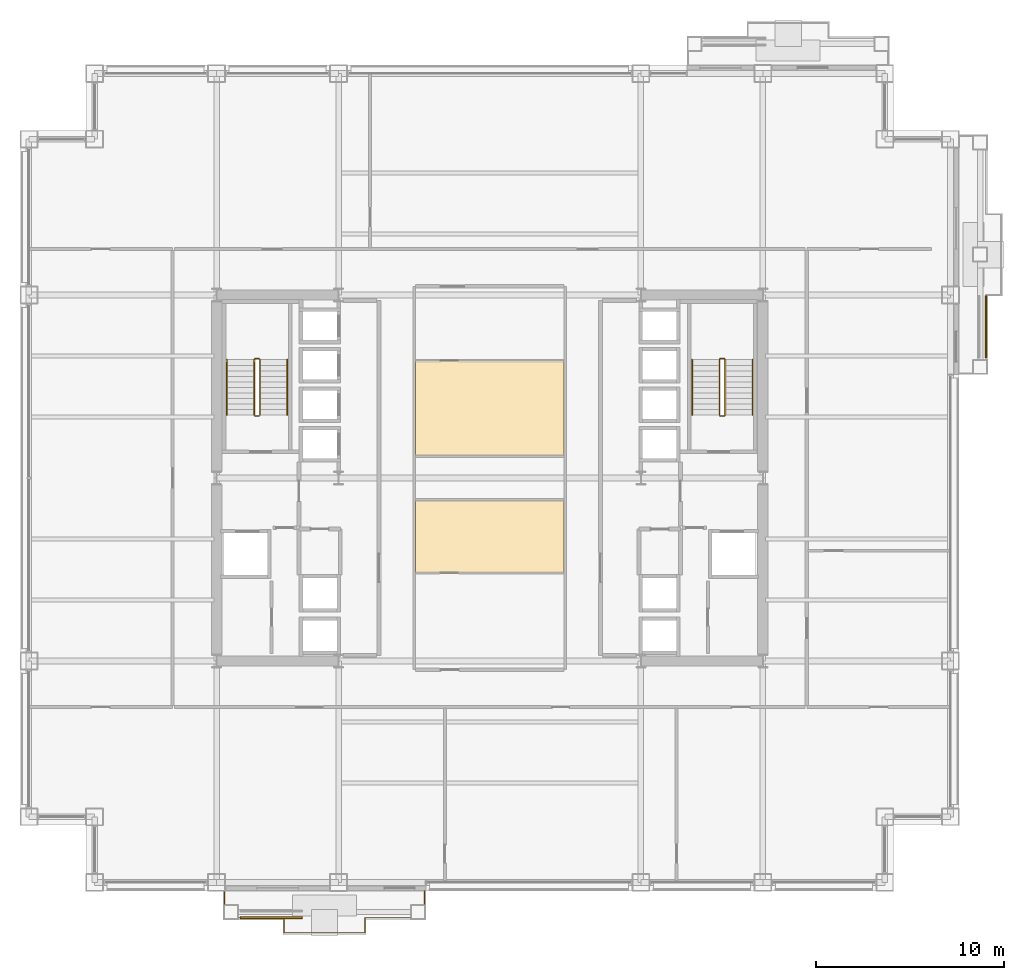
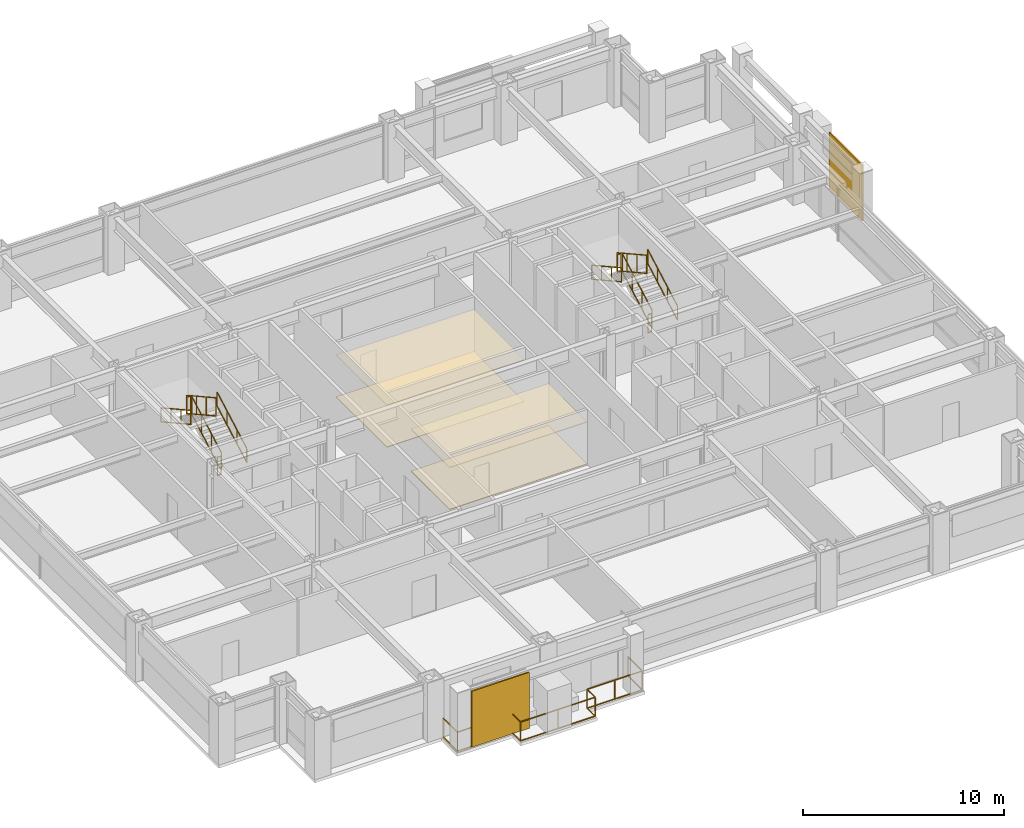
# One storey, part 29 of 31: 13 railings, 4 coverings, 2 shading devices.
"""IFC4 building model written with IfcOpenShell, lengths in metres."""

import ifcopenshell
import ifcopenshell.guid

model = None  # the IFC model being written
_history = None  # IfcOwnerHistory: only IFC2X3 demands one
_inside = {}  # id of a spatial element -> (the spatial element, [elements in it])
_under = {}  # id of a project, library or spatial element -> (it, [spatial elements below it])
_declared = {}  # id of a project -> (the project, [libraries it declares])
_typed = {}  # id of a type object -> (the type object, [elements of that type])
_made_of = {}  # id of a material, layer set ... -> (it, [elements and type objects made of it])


def new_model(schema):
    """Start an empty IFC model of exactly this schema.

    Asked for "IFC4X3", IfcOpenShell would pick the latest addendum, in which some entities
    have other attributes; the version numbers below select the first issue.
    IFC2X3 requires an IfcOwnerHistory on every rooted entity: one is made here for all.
    """
    global model, _history
    if schema == "IFC4X3":
        model = ifcopenshell.file(schema_version=(4, 3, 0, 0))
    else:
        model = ifcopenshell.file(schema=schema)
    _inside.clear()
    _under.clear()
    _declared.clear()
    _typed.clear()
    _made_of.clear()
    _history = None
    if model.schema == "IFC2X3":
        org = make("IfcOrganization", Name="unknown")
        user = make(
            "IfcPersonAndOrganization",
            ThePerson=make("IfcPerson", FamilyName="unknown"),
            TheOrganization=org,
        )
        app = make(
            "IfcApplication",
            ApplicationDeveloper=org,
            Version="unknown",
            ApplicationFullName="unknown",
            ApplicationIdentifier="unknown",
        )
        _history = make(
            "IfcOwnerHistory",
            OwningUser=user,
            OwningApplication=app,
            ChangeAction="ADDED",
            CreationDate=0,
        )
    return model


def make(cls, **values):
    """One entity of the class cls with the attributes given. An attribute that is None is left unset."""
    return model.create_entity(
        cls, **{name: value for name, value in values.items() if value is not None}
    )


def rooted(cls, **values):
    """An entity with a GlobalId (a new one), such as an element, a storey or a relation."""
    return make(cls, GlobalId=ifcopenshell.guid.new(), OwnerHistory=_history, **values)


def si_unit(unit_type, name, prefix=None):
    """IfcSIUnit, for example si_unit("LENGTHUNIT", "METRE", prefix="MILLI")."""
    return make("IfcSIUnit", UnitType=unit_type, Prefix=prefix, Name=name)


def assignment(units):
    """IfcUnitAssignment: the units of a project."""
    return None if units is None else make("IfcUnitAssignment", Units=units)


def point(xyz):
    """IfcCartesianPoint."""
    return None if xyz is None else make("IfcCartesianPoint", Coordinates=xyz)


def direction(xyz):
    """IfcDirection."""
    return None if xyz is None else make("IfcDirection", DirectionRatios=xyz)


def frame(location, z_axis=None, x_axis=None):
    """IfcAxis2Placement3D, a coordinate frame: its origin and axes. An axis left out is left unset."""
    return make(
        "IfcAxis2Placement3D",
        Location=point(location),
        Axis=direction(z_axis),
        RefDirection=direction(x_axis),
    )


def frame_2d(location, x_axis=None):
    """IfcAxis2Placement2D, a coordinate frame in the plane: its origin and x axis."""
    return make(
        "IfcAxis2Placement2D", Location=point(location), RefDirection=direction(x_axis)
    )


def origin():
    """The frame at (0, 0, 0) with its axes left unset."""
    return frame((0.0, 0.0, 0.0))


def origin_2d():
    """The frame at (0, 0) in the plane with its x axis left unset."""
    return frame_2d((0.0, 0.0))


def place(relative_to, where):
    """IfcLocalPlacement: puts the frame where relative to a parent placement (None: the world)."""
    return make(
        "IfcLocalPlacement", PlacementRelTo=relative_to, RelativePlacement=where
    )


def context(
    kind, dimensions, precision=None, world=None, true_north=None, identifier=None
):
    """IfcGeometricRepresentationContext, for example the 3D "Model" context."""
    return make(
        "IfcGeometricRepresentationContext",
        ContextIdentifier=identifier,
        ContextType=kind,
        CoordinateSpaceDimension=dimensions,
        Precision=precision,
        WorldCoordinateSystem=world,
        TrueNorth=true_north,
    )


def subcontext(parent, identifier, kind, view, scale=None):
    """IfcGeometricRepresentationSubContext, for example "Body" below "Model"."""
    return make(
        "IfcGeometricRepresentationSubContext",
        ContextIdentifier=identifier,
        ContextType=kind,
        ParentContext=parent,
        TargetScale=scale,
        TargetView=view,
    )


def project(units=None, contexts=None):
    """IfcProject with its units and contexts."""
    return rooted(
        "IfcProject",
        Name="project",
        RepresentationContexts=contexts,
        UnitsInContext=assignment(units),
    )


def spatial(cls, under=None, at=None, **own):
    """A site, building, storey or space (cls), placed at a placement, below another one or the project."""
    s = rooted(cls, ObjectPlacement=at, **own)
    if under is not None:
        _under.setdefault(under.id(), (under, []))[1].append(s)
    return s


def polyline(points):
    """IfcPolyline through the points."""
    return make("IfcPolyline", Points=[point(p) for p in points])


def profile(cls, at=None, kind="AREA", **sizes):
    """A parametric profile (cls). Its sizes go by their IFC names, for example OverallWidth=200.0."""
    return make(cls, ProfileType=kind, Position=at, **sizes)


def rectangle(**sizes):
    """IfcRectangleProfileDef."""
    return profile("IfcRectangleProfileDef", **sizes)


def outline(outer, holes=None, kind="AREA"):
    """IfcArbitraryClosedProfileDef: a profile drawn as a closed curve; with holes, ...WithVoids."""
    if holes is None:
        return make("IfcArbitraryClosedProfileDef", ProfileType=kind, OuterCurve=outer)
    return make(
        "IfcArbitraryProfileDefWithVoids",
        ProfileType=kind,
        OuterCurve=outer,
        InnerCurves=holes,
    )


def extrude(swept, where, along, depth):
    """IfcExtrudedAreaSolid: the profile swept, set in the frame where, extruded along a direction by depth."""
    return make(
        "IfcExtrudedAreaSolid",
        SweptArea=swept,
        Position=where,
        ExtrudedDirection=direction(along),
        Depth=depth,
    )


def shape(context_of_items, identifier, shape_type, items):
    """IfcShapeRepresentation: the items that make up one representation, for example the "Body"."""
    return make(
        "IfcShapeRepresentation",
        ContextOfItems=context_of_items,
        RepresentationIdentifier=identifier,
        RepresentationType=shape_type,
        Items=items,
    )


def material(Name=None, Category=None):
    """IfcMaterial."""
    return make("IfcMaterial", Name=Name, Category=Category)


def layer(
    of_material, thickness, ventilated=None, Name=None, Category=None, Priority=None
):
    """IfcMaterialLayer: one layer of a wall or slab, of a material (None: an air gap)."""
    return make(
        "IfcMaterialLayer",
        Material=of_material,
        LayerThickness=thickness,
        IsVentilated=ventilated,
        Name=Name,
        Category=Category,
        Priority=Priority,
    )


def layer_set(layers, Name=None):
    """IfcMaterialLayerSet."""
    return make("IfcMaterialLayerSet", MaterialLayers=layers, LayerSetName=Name)


def made_of(thing, what):
    """Note that an element or type object is made of a material, layer set ...; save() writes the relation."""
    if what is not None:
        _made_of.setdefault(what.id(), (what, []))[1].append(thing)
    return thing


def type_object(cls, material=None, **own):
    """A type object (cls), such as IfcWallType, which elements share."""
    return made_of(rooted(cls, **own), material)


def element(
    cls,
    number,
    at=None,
    inside=None,
    cuts=None,
    type_object=None,
    material=None,
    context=None,
    identifier="Body",
    shape_type=None,
    held_by="IfcProductDefinitionShape",
    body=None,
    shapes=None,
    **own,
):
    """One element of the class cls, such as IfcWall. Its Tag is "e" and its number.

    at: its placement. inside: the storey or other place that contains it. cuts: it is an
    opening in that element (IfcRelVoidsElement). A single representation is given by context,
    identifier, shape_type and body (its items); several are given by shapes. held_by: the class
    of the entity that holds the representations. save() writes the other relations.
    """
    e = rooted(cls, Tag="e%d" % number, ObjectPlacement=at, **own)
    if body is not None:
        shapes = [shape(context, identifier, shape_type, body)]
    if shapes is not None:
        e.Representation = make(held_by, Representations=shapes)
    if inside is not None:
        _inside.setdefault(inside.id(), (inside, []))[1].append(e)
    if cuts is not None:
        rooted(
            "IfcRelVoidsElement", RelatingBuildingElement=cuts, RelatedOpeningElement=e
        )
    if type_object is not None:
        _typed.setdefault(type_object.id(), (type_object, []))[1].append(e)
    return made_of(e, material)


def aggregate(whole, parts):
    """IfcRelAggregates: a whole, such as a stair, and the parts it consists of."""
    return rooted("IfcRelAggregates", RelatingObject=whole, RelatedObjects=parts)


def save(model, path):
    """Write the relations noted so far, then the file.

    IfcRelAggregates (storeys below a building ...), IfcRelContainedInSpatialStructure (elements
    in a storey), IfcRelDefinesByType, IfcRelAssociatesMaterial and IfcRelDeclares: one each for
    every whole, place, type object, material and project.
    """
    for whole, parts in _under.values():
        aggregate(whole, parts)
    for where, things in _inside.values():
        rooted(
            "IfcRelContainedInSpatialStructure",
            RelatedElements=things,
            RelatingStructure=where,
        )
    for kind, things in _typed.values():
        rooted("IfcRelDefinesByType", RelatedObjects=things, RelatingType=kind)
    for what, things in _made_of.values():
        rooted("IfcRelAssociatesMaterial", RelatedObjects=things, RelatingMaterial=what)
    for by, libraries in _declared.values():
        rooted("IfcRelDeclares", RelatingContext=by, RelatedDefinitions=libraries)
    model.write(path)


model = new_model("IFC4")

# Units and contexts
model_context = context("Model", 3, precision=1e-05, world=origin(), true_north=direction((0.0, 1.0)))
body_context = subcontext(model_context, "Body", "Model", "MODEL_VIEW")
ifc_project = project(units=[si_unit("LENGTHUNIT", "METRE"), si_unit("AREAUNIT", "SQUARE_METRE"), si_unit("VOLUMEUNIT", "CUBIC_METRE"), si_unit("PLANEANGLEUNIT", "RADIAN"), si_unit("MASSUNIT", "GRAM", prefix="KILO")], contexts=[model_context])

# Site, building, storey
site_placement = place(None, origin())
site = spatial("IfcSite", under=ifc_project, at=site_placement, CompositionType="ELEMENT")
building_placement = place(site_placement, origin())
building = spatial("IfcBuilding", under=site, at=building_placement, Name="Brelmoor Portico Tower", CompositionType="ELEMENT")
storey_placement = place(building_placement, frame((0.0, 0.0, 27.60009765625)))
storey = spatial("IfcBuildingStorey", under=building, at=storey_placement, Name="L06", CompositionType="ELEMENT", Elevation=27.60009765625)

# Coverings
ifc_material_1 = material(Name="Powder-Coated Aluminium Acoustic Baffle Ceiling", Category="aluminium")
ifc_layer_1 = layer(ifc_material_1, 0.044921875)
ifc_layer_set_1 = layer_set([ifc_layer_1], Name="Powder-Coated Aluminium Acoustic Baffle Ceiling")
covering_type_1 = type_object("IfcCoveringType", Name="CV-CEIL-BAFFLE-45", PredefinedType="CEILING", material=ifc_layer_set_1)
covering_1_placement = place(storey_placement, frame((0.0, 0.0, 2.5498046875)))
element("IfcCovering", 1, at=covering_1_placement, inside=storey, type_object=covering_type_1, Name="L06 Acoustic Suspended Ceiling 02", PredefinedType="CEILING", context=body_context, shape_type="SweptSolid", body=[
    extrude(outline(polyline([(-3.9599609375, -5.06005859375), (-3.9599609375, -1.199951171875), (3.9599609375, -1.199951171875), (3.9599609375, -5.06005859375), (-3.9599609375, -5.06005859375)])), origin(), (0.0, 0.0, 1.0), 0.045166015625),
])
ifc_material_2 = material(Name="Micro-Perforated Aluminium Clip-In Ceiling", Category="aluminium")
ifc_layer_2 = layer(ifc_material_2, 0.031982421875)
ifc_layer_set_2 = layer_set([ifc_layer_2], Name="Micro-Perforated Aluminium Clip-In Ceiling")
covering_type_2 = type_object("IfcCoveringType", Name="CV-CEIL-METAL-32", PredefinedType="CEILING", material=ifc_layer_set_2)
covering_2_placement = place(storey_placement, frame((0.0, 0.0, 2.5498046875)))
element("IfcCovering", 2, at=covering_2_placement, inside=storey, type_object=covering_type_2, Name="L06 Acoustic Suspended Ceiling 01", PredefinedType="CEILING", context=body_context, shape_type="SweptSolid", body=[
    extrude(outline(polyline([(-3.9599609375, 1.199951171875), (-3.9599609375, 6.260009765625), (3.9599609375, 6.260009765625), (3.9599609375, 1.199951171875), (-3.9599609375, 1.199951171875)])), origin(), (0.0, 0.0, 1.0), 0.031982421875),
])
ifc_material_3 = material(Name="Honed Pearl-Grey Granite Paver Finish", Category="masonry")
ifc_layer_3 = layer(ifc_material_3, 0.0380859375)
ifc_layer_set_3 = layer_set([ifc_layer_3], Name="Honed Pearl-Grey Granite Paver Finish")
covering_type_3 = type_object("IfcCoveringType", Name="CV-FLR-GRANITE-38", PredefinedType="FLOORING", material=ifc_layer_set_3)
covering_3_placement = place(storey_placement, origin())
element("IfcCovering", 3, at=covering_3_placement, inside=storey, type_object=covering_type_3, Name="L06 Architectural Floor Finish 02", PredefinedType="FLOORING", context=body_context, shape_type="SweptSolid", body=[
    extrude(outline(polyline([(-3.9599609375, -5.06005859375), (-3.9599609375, -1.199951171875), (3.9599609375, -1.199951171875), (3.9599609375, -5.06005859375), (-3.9599609375, -5.06005859375)])), origin(), (0.0, 0.0, 1.0), 0.037841796875),
])
ifc_material_4 = material(Name="Polished Pale-Aggregate Cementitious Terrazzo", Category="stone")
ifc_layer_4 = layer(ifc_material_4, 0.030029296875)
ifc_layer_set_4 = layer_set([ifc_layer_4], Name="Polished Pale-Aggregate Cementitious Terrazzo")
covering_type_4 = type_object("IfcCoveringType", Name="CV-FLR-TERRAZZO-30", PredefinedType="FLOORING", material=ifc_layer_set_4)
covering_4_placement = place(storey_placement, origin())
element("IfcCovering", 4, at=covering_4_placement, inside=storey, type_object=covering_type_4, Name="L06 Architectural Floor Finish 01", PredefinedType="FLOORING", context=body_context, shape_type="SweptSolid", body=[
    extrude(outline(polyline([(-3.9599609375, 1.199951171875), (-3.9599609375, 6.260009765625), (3.9599609375, 6.260009765625), (3.9599609375, 1.199951171875), (-3.9599609375, 1.199951171875)])), origin(), (0.0, 0.0, 1.0), 0.02978515625),
])

# Railings
ifc_material_5 = material(Name="Perforated Pale Champagne Aluminium Fretwork Guard", Category="aluminium")
railing_type_1 = type_object("IfcRailingType", Name="RL-BALUSTRADE-1200", PredefinedType="BALUSTRADE", material=ifc_material_5)
railing_1_placement = place(storey_placement, frame((-14.1201171875, -22.0, 0.0)))
element("IfcRailing", 5, at=railing_1_placement, inside=storey, type_object=railing_type_1, Name="L06 Tree Balcony Fretwork Balustrade S", PredefinedType="BALUSTRADE", context=body_context, shape_type="SweptSolid", body=[
    extrude(rectangle(XDim=0.048095703125, YDim=0.048095703125, at=origin_2d()), frame((0.0, 0.0, 1.17578125), z_axis=(0.0, -1.0, 0.0), x_axis=(1.0, 0.0, 0.0)), (0.0, 0.0, 1.0), 1.429931640625),
    extrude(rectangle(XDim=0.048095703125, YDim=0.048095703125, at=origin_2d()), frame((0.0, 0.0, 0.02392578125), z_axis=(0.0, -1.0, 0.0), x_axis=(1.0, 0.0, 0.0)), (0.0, 0.0, 1.0), 1.429931640625),
    extrude(rectangle(XDim=0.048095703125, YDim=0.048095703125, at=origin_2d()), frame((0.0, -1.429931640625, 1.17578125), z_axis=(1.0, 0.0, 0.0), x_axis=(0.0, 1.0, 0.0)), (0.0, 0.0, 1.0), 3.170166015625),
    extrude(rectangle(XDim=0.048095703125, YDim=0.048095703125, at=origin_2d()), frame((0.0, -1.429931640625, 0.02392578125), z_axis=(1.0, 0.0, 0.0), x_axis=(0.0, 1.0, 0.0)), (0.0, 0.0, 1.0), 3.170166015625),
    extrude(rectangle(XDim=0.048095703125, YDim=0.048095703125, at=origin_2d()), frame((3.170166015625, -1.429931640625, 1.17578125), z_axis=(0.0, -1.0, 0.0), x_axis=(1.0, 0.0, 0.0)), (0.0, 0.0, 1.0), 0.800048828125),
    extrude(rectangle(XDim=0.048095703125, YDim=0.048095703125, at=origin_2d()), frame((3.170166015625, -1.429931640625, 0.02392578125), z_axis=(0.0, -1.0, 0.0), x_axis=(1.0, 0.0, 0.0)), (0.0, 0.0, 1.0), 0.800048828125),
    extrude(rectangle(XDim=0.048095703125, YDim=0.048095703125, at=origin_2d()), frame((3.170166015625, -2.22998046875, 1.17578125), z_axis=(1.0, 0.0, 0.0), x_axis=(0.0, 1.0, 0.0)), (0.0, 0.0, 1.0), 4.300048828125),
    extrude(rectangle(XDim=0.048095703125, YDim=0.048095703125, at=origin_2d()), frame((3.170166015625, -2.22998046875, 0.02392578125), z_axis=(1.0, 0.0, 0.0), x_axis=(0.0, 1.0, 0.0)), (0.0, 0.0, 1.0), 4.300048828125),
    extrude(rectangle(XDim=0.048095703125, YDim=0.048095703125, at=origin_2d()), frame((7.47021484375, -2.22998046875, 1.17578125), z_axis=(0.0, 1.0, 0.0), x_axis=(-1.0, 0.0, 0.0)), (0.0, 0.0, 1.0), 0.800048828125),
    extrude(rectangle(XDim=0.048095703125, YDim=0.048095703125, at=origin_2d()), frame((7.47021484375, -2.22998046875, 0.02392578125), z_axis=(0.0, 1.0, 0.0), x_axis=(-1.0, 0.0, 0.0)), (0.0, 0.0, 1.0), 0.800048828125),
    extrude(rectangle(XDim=0.048095703125, YDim=0.048095703125, at=origin_2d()), frame((7.47021484375, -1.429931640625, 1.17578125), z_axis=(1.0, 0.0, 0.0), x_axis=(0.0, 1.0, 0.0)), (0.0, 0.0, 1.0), 3.169921875),
    extrude(rectangle(XDim=0.048095703125, YDim=0.048095703125, at=origin_2d()), frame((7.47021484375, -1.429931640625, 0.02392578125), z_axis=(1.0, 0.0, 0.0), x_axis=(0.0, 1.0, 0.0)), (0.0, 0.0, 1.0), 3.169921875),
    extrude(rectangle(XDim=0.048095703125, YDim=0.048095703125, at=origin_2d()), frame((10.64013671875, -1.429931640625, 1.17578125), z_axis=(0.0, 1.0, 0.0), x_axis=(-1.0, 0.0, 0.0)), (0.0, 0.0, 1.0), 1.429931640625),
    extrude(rectangle(XDim=0.048095703125, YDim=0.048095703125, at=origin_2d()), frame((10.64013671875, -1.429931640625, 0.02392578125), z_axis=(0.0, 1.0, 0.0), x_axis=(-1.0, 0.0, 0.0)), (0.0, 0.0, 1.0), 1.429931640625),
    extrude(rectangle(XDim=0.0419921875, YDim=0.0419921875, at=origin_2d()), origin(), (0.0, 0.0, 1.0), 1.15185546875),
    extrude(rectangle(XDim=0.0419921875, YDim=0.0419921875, at=origin_2d()), frame((0.0, -1.429931640625, 0.0)), (0.0, 0.0, 1.0), 1.15185546875),
    extrude(rectangle(XDim=0.0419921875, YDim=0.0419921875, at=origin_2d()), frame((1.5849609375, -1.429931640625, 0.0)), (0.0, 0.0, 1.0), 1.15185546875),
    extrude(rectangle(XDim=0.0419921875, YDim=0.0419921875, at=origin_2d()), frame((3.170166015625, -1.429931640625, 0.0)), (0.0, 0.0, 1.0), 1.15185546875),
    extrude(rectangle(XDim=0.0419921875, YDim=0.0419921875, at=origin_2d()), frame((3.170166015625, -2.22998046875, 0.0)), (0.0, 0.0, 1.0), 1.15185546875),
    extrude(rectangle(XDim=0.0419921875, YDim=0.0419921875, at=origin_2d()), frame((5.3203125, -2.22998046875, 0.0)), (0.0, 0.0, 1.0), 1.15185546875),
    extrude(rectangle(XDim=0.0419921875, YDim=0.0419921875, at=origin_2d()), frame((7.47021484375, -2.22998046875, 0.0)), (0.0, 0.0, 1.0), 1.15185546875),
    extrude(rectangle(XDim=0.0419921875, YDim=0.0419921875, at=origin_2d()), frame((7.47021484375, -1.429931640625, 0.0)), (0.0, 0.0, 1.0), 1.15185546875),
    extrude(rectangle(XDim=0.0419921875, YDim=0.0419921875, at=origin_2d()), frame((9.05517578125, -1.429931640625, 0.0)), (0.0, 0.0, 1.0), 1.15185546875),
    extrude(rectangle(XDim=0.0419921875, YDim=0.0419921875, at=origin_2d()), frame((10.64013671875, -1.429931640625, 0.0)), (0.0, 0.0, 1.0), 1.15185546875),
    extrude(rectangle(XDim=0.0419921875, YDim=0.0419921875, at=origin_2d()), frame((10.64013671875, 0.0, 0.0)), (0.0, 0.0, 1.0), 1.15185546875),
])
ifc_material_6 = material(Name="Painted Tubular Steel Q235B", Category="steel")
railing_type_2 = type_object("IfcRailingType", Name="RL-STAIR-GUARD", PredefinedType="GUARDRAIL", material=ifc_material_6)
railing_2_placement = place(storey_placement, frame((-12.239990234375, 3.35009765625, 0.16357421875)))
element("IfcRailing", 6, at=railing_2_placement, inside=storey, type_object=railing_type_2, Name="L06 ST-W stair guard 1", PredefinedType="GUARDRAIL", context=body_context, shape_type="SweptSolid", body=[
    extrude(rectangle(XDim=0.048095703125, YDim=0.048095703125, at=origin_2d()), frame((0.0, 0.0, 1.1259765625), z_axis=(0.0, 0.87448821551, 0.485046761595), x_axis=(-1.0, 0.0, 0.0)), (0.0, 0.0, 1.0), 3.373291015625),
    extrude(rectangle(XDim=0.048095703125, YDim=0.048095703125, at=origin_2d()), frame((0.0, 0.0, 0.02392578125), z_axis=(0.0, 0.87448821551, 0.485046761595), x_axis=(-1.0, 0.0, 0.0)), (0.0, 0.0, 1.0), 3.373291015625),
    extrude(rectangle(XDim=0.0419921875, YDim=0.0419921875, at=origin_2d()), origin(), (0.0, 0.0, 1.0), 1.101806640625),
    extrude(rectangle(XDim=0.0419921875, YDim=0.0419921875, at=origin_2d()), frame((0.0, 0.9833984375, 0.54541015625)), (0.0, 0.0, 1.0), 1.101806640625),
    extrude(rectangle(XDim=0.0419921875, YDim=0.0419921875, at=origin_2d()), frame((0.0, 1.966552734375, 1.0908203125)), (0.0, 0.0, 1.0), 1.101806640625),
    extrude(rectangle(XDim=0.0419921875, YDim=0.0419921875, at=origin_2d()), frame((0.0, 2.949951171875, 1.63623046875)), (0.0, 0.0, 1.0), 1.101806640625),
])
railing_3_placement = place(storey_placement, frame((-12.2900390625, 6.35009765625, 1.7998046875)))
element("IfcRailing", 7, at=railing_3_placement, inside=storey, type_object=railing_type_2, Name="L06 ST-W stair guard 2", PredefinedType="GUARDRAIL", context=body_context, shape_type="SweptSolid", body=[
    extrude(rectangle(XDim=0.048095703125, YDim=0.048095703125, at=origin_2d()), frame((0.0, 0.0, 1.1259765625), z_axis=(-1.0, 0.0, 0.0), x_axis=(0.0, -1.0, 0.0)), (0.0, 0.0, 1.0), 0.199951171875),
    extrude(rectangle(XDim=0.048095703125, YDim=0.048095703125, at=origin_2d()), frame((0.0, 0.0, 0.02392578125), z_axis=(-1.0, 0.0, 0.0), x_axis=(0.0, -1.0, 0.0)), (0.0, 0.0, 1.0), 0.199951171875),
    extrude(rectangle(XDim=0.0419921875, YDim=0.0419921875, at=origin_2d()), origin(), (0.0, 0.0, 1.0), 1.101806640625),
    extrude(rectangle(XDim=0.0419921875, YDim=0.0419921875, at=origin_2d()), frame((-0.199951171875, 0.0, 0.0)), (0.0, 0.0, 1.0), 1.101806640625),
])
railing_4_placement = place(storey_placement, frame((-12.5400390625, 6.300048828125, 1.963623046875)))
element("IfcRailing", 8, at=railing_4_placement, inside=storey, type_object=railing_type_2, Name="L06 ST-W stair guard 3", PredefinedType="GUARDRAIL", context=body_context, shape_type="SweptSolid", body=[
    extrude(rectangle(XDim=0.048095703125, YDim=0.048095703125, at=origin_2d()), frame((0.0, 0.0, 1.1259765625), z_axis=(0.0, -0.87448821551, 0.485046761595), x_axis=(1.0, 0.0, 0.0)), (0.0, 0.0, 1.0), 3.373291015625),
    extrude(rectangle(XDim=0.048095703125, YDim=0.048095703125, at=origin_2d()), frame((0.0, 0.0, 0.02392578125), z_axis=(0.0, -0.87448821551, 0.485046761595), x_axis=(1.0, 0.0, 0.0)), (0.0, 0.0, 1.0), 3.373291015625),
    extrude(rectangle(XDim=0.0419921875, YDim=0.0419921875, at=origin_2d()), origin(), (0.0, 0.0, 1.0), 1.101806640625),
    extrude(rectangle(XDim=0.0419921875, YDim=0.0419921875, at=origin_2d()), frame((0.0, -0.9833984375, 0.54541015625)), (0.0, 0.0, 1.0), 1.101806640625),
    extrude(rectangle(XDim=0.0419921875, YDim=0.0419921875, at=origin_2d()), frame((0.0, -1.966552734375, 1.0908203125)), (0.0, 0.0, 1.0), 1.101806640625),
    extrude(rectangle(XDim=0.0419921875, YDim=0.0419921875, at=origin_2d()), frame((0.0, -2.949951171875, 1.63623046875)), (0.0, 0.0, 1.0), 1.101806640625),
])
railing_5_placement = place(storey_placement, frame((-12.2900390625, 3.300048828125, 0.0)))
element("IfcRailing", 9, at=railing_5_placement, inside=storey, type_object=railing_type_2, Name="L06 ST-W stair guard 4", PredefinedType="GUARDRAIL", context=body_context, shape_type="SweptSolid", body=[
    extrude(rectangle(XDim=0.048095703125, YDim=0.048095703125, at=origin_2d()), frame((0.0, 0.0, 1.1259765625), z_axis=(-1.0, 0.0, 0.0), x_axis=(0.0, -1.0, 0.0)), (0.0, 0.0, 1.0), 0.199951171875),
    extrude(rectangle(XDim=0.048095703125, YDim=0.048095703125, at=origin_2d()), frame((0.0, 0.0, 0.02392578125), z_axis=(-1.0, 0.0, 0.0), x_axis=(0.0, -1.0, 0.0)), (0.0, 0.0, 1.0), 0.199951171875),
    extrude(rectangle(XDim=0.0419921875, YDim=0.0419921875, at=origin_2d()), origin(), (0.0, 0.0, 1.0), 1.101806640625),
    extrude(rectangle(XDim=0.0419921875, YDim=0.0419921875, at=origin_2d()), frame((-0.199951171875, 0.0, 0.0)), (0.0, 0.0, 1.0), 1.101806640625),
])
railing_6_placement = place(storey_placement, frame((12.5400390625, 3.35009765625, 0.16357421875)))
element("IfcRailing", 10, at=railing_6_placement, inside=storey, type_object=railing_type_2, Name="L06 ST-E stair guard 1", PredefinedType="GUARDRAIL", context=body_context, shape_type="SweptSolid", body=[
    extrude(rectangle(XDim=0.048095703125, YDim=0.048095703125, at=origin_2d()), frame((0.0, 0.0, 1.1259765625), z_axis=(0.0, 0.87448821551, 0.485046761595), x_axis=(-1.0, 0.0, 0.0)), (0.0, 0.0, 1.0), 3.373291015625),
    extrude(rectangle(XDim=0.048095703125, YDim=0.048095703125, at=origin_2d()), frame((0.0, 0.0, 0.02392578125), z_axis=(0.0, 0.87448821551, 0.485046761595), x_axis=(-1.0, 0.0, 0.0)), (0.0, 0.0, 1.0), 3.373291015625),
    extrude(rectangle(XDim=0.0419921875, YDim=0.0419921875, at=origin_2d()), origin(), (0.0, 0.0, 1.0), 1.101806640625),
    extrude(rectangle(XDim=0.0419921875, YDim=0.0419921875, at=origin_2d()), frame((0.0, 0.9833984375, 0.54541015625)), (0.0, 0.0, 1.0), 1.101806640625),
    extrude(rectangle(XDim=0.0419921875, YDim=0.0419921875, at=origin_2d()), frame((0.0, 1.966552734375, 1.0908203125)), (0.0, 0.0, 1.0), 1.101806640625),
    extrude(rectangle(XDim=0.0419921875, YDim=0.0419921875, at=origin_2d()), frame((0.0, 2.949951171875, 1.63623046875)), (0.0, 0.0, 1.0), 1.101806640625),
])
railing_7_placement = place(storey_placement, frame((12.489990234375, 6.35009765625, 1.7998046875)))
element("IfcRailing", 11, at=railing_7_placement, inside=storey, type_object=railing_type_2, Name="L06 ST-E stair guard 2", PredefinedType="GUARDRAIL", context=body_context, shape_type="SweptSolid", body=[
    extrude(rectangle(XDim=0.048095703125, YDim=0.048095703125, at=origin_2d()), frame((0.0, 0.0, 1.1259765625), z_axis=(-1.0, 0.0, 0.0), x_axis=(0.0, -1.0, 0.0)), (0.0, 0.0, 1.0), 0.199951171875),
    extrude(rectangle(XDim=0.048095703125, YDim=0.048095703125, at=origin_2d()), frame((0.0, 0.0, 0.02392578125), z_axis=(-1.0, 0.0, 0.0), x_axis=(0.0, -1.0, 0.0)), (0.0, 0.0, 1.0), 0.199951171875),
    extrude(rectangle(XDim=0.0419921875, YDim=0.0419921875, at=origin_2d()), origin(), (0.0, 0.0, 1.0), 1.101806640625),
    extrude(rectangle(XDim=0.0419921875, YDim=0.0419921875, at=origin_2d()), frame((-0.199951171875, 0.0, 0.0)), (0.0, 0.0, 1.0), 1.101806640625),
])
railing_8_placement = place(storey_placement, frame((12.239990234375, 6.300048828125, 1.963623046875)))
element("IfcRailing", 12, at=railing_8_placement, inside=storey, type_object=railing_type_2, Name="L06 ST-E stair guard 3", PredefinedType="GUARDRAIL", context=body_context, shape_type="SweptSolid", body=[
    extrude(rectangle(XDim=0.048095703125, YDim=0.048095703125, at=origin_2d()), frame((0.0, 0.0, 1.1259765625), z_axis=(0.0, -0.87448821551, 0.485046761595), x_axis=(1.0, 0.0, 0.0)), (0.0, 0.0, 1.0), 3.373291015625),
    extrude(rectangle(XDim=0.048095703125, YDim=0.048095703125, at=origin_2d()), frame((0.0, 0.0, 0.02392578125), z_axis=(0.0, -0.87448821551, 0.485046761595), x_axis=(1.0, 0.0, 0.0)), (0.0, 0.0, 1.0), 3.373291015625),
    extrude(rectangle(XDim=0.0419921875, YDim=0.0419921875, at=origin_2d()), origin(), (0.0, 0.0, 1.0), 1.101806640625),
    extrude(rectangle(XDim=0.0419921875, YDim=0.0419921875, at=origin_2d()), frame((0.0, -0.9833984375, 0.54541015625)), (0.0, 0.0, 1.0), 1.101806640625),
    extrude(rectangle(XDim=0.0419921875, YDim=0.0419921875, at=origin_2d()), frame((0.0, -1.966552734375, 1.0908203125)), (0.0, 0.0, 1.0), 1.101806640625),
    extrude(rectangle(XDim=0.0419921875, YDim=0.0419921875, at=origin_2d()), frame((0.0, -2.949951171875, 1.63623046875)), (0.0, 0.0, 1.0), 1.101806640625),
])
railing_9_placement = place(storey_placement, frame((12.489990234375, 3.300048828125, 0.0)))
element("IfcRailing", 13, at=railing_9_placement, inside=storey, type_object=railing_type_2, Name="L06 ST-E stair guard 4", PredefinedType="GUARDRAIL", context=body_context, shape_type="SweptSolid", body=[
    extrude(rectangle(XDim=0.048095703125, YDim=0.048095703125, at=origin_2d()), frame((0.0, 0.0, 1.1259765625), z_axis=(-1.0, 0.0, 0.0), x_axis=(0.0, -1.0, 0.0)), (0.0, 0.0, 1.0), 0.199951171875),
    extrude(rectangle(XDim=0.048095703125, YDim=0.048095703125, at=origin_2d()), frame((0.0, 0.0, 0.02392578125), z_axis=(-1.0, 0.0, 0.0), x_axis=(0.0, -1.0, 0.0)), (0.0, 0.0, 1.0), 0.199951171875),
    extrude(rectangle(XDim=0.0419921875, YDim=0.0419921875, at=origin_2d()), origin(), (0.0, 0.0, 1.0), 1.101806640625),
    extrude(rectangle(XDim=0.0419921875, YDim=0.0419921875, at=origin_2d()), frame((-0.199951171875, 0.0, 0.0)), (0.0, 0.0, 1.0), 1.101806640625),
])
ifc_material_7 = material(Name="Brushed Stainless Steel 304", Category="steel")
railing_type_3 = type_object("IfcRailingType", Name="RL-STAIR-HANDRAIL", PredefinedType="HANDRAIL", material=ifc_material_7)
railing_10_placement = place(storey_placement, frame((-10.780029296875, 3.35009765625, 0.16357421875)))
element("IfcRailing", 14, at=railing_10_placement, inside=storey, type_object=railing_type_3, Name="L06 ST-W stair handrail 1", PredefinedType="HANDRAIL", context=body_context, shape_type="SweptSolid", body=[
    extrude(rectangle(XDim=0.048095703125, YDim=0.048095703125, at=origin_2d()), frame((0.0, 0.0, 0.8759765625), z_axis=(0.0, 0.87448821551, 0.485046761595), x_axis=(-1.0, 0.0, 0.0)), (0.0, 0.0, 1.0), 3.373291015625),
    extrude(rectangle(XDim=0.048095703125, YDim=0.048095703125, at=origin_2d()), frame((0.0, 0.0, 0.02392578125), z_axis=(0.0, 0.87448821551, 0.485046761595), x_axis=(-1.0, 0.0, 0.0)), (0.0, 0.0, 1.0), 3.373291015625),
    extrude(rectangle(XDim=0.0419921875, YDim=0.0419921875, at=origin_2d()), origin(), (0.0, 0.0, 1.0), 0.851806640625),
    extrude(rectangle(XDim=0.0419921875, YDim=0.0419921875, at=origin_2d()), frame((0.0, 0.9833984375, 0.54541015625)), (0.0, 0.0, 1.0), 0.851806640625),
    extrude(rectangle(XDim=0.0419921875, YDim=0.0419921875, at=origin_2d()), frame((0.0, 1.966552734375, 1.0908203125)), (0.0, 0.0, 1.0), 0.851806640625),
    extrude(rectangle(XDim=0.0419921875, YDim=0.0419921875, at=origin_2d()), frame((0.0, 2.949951171875, 1.63623046875)), (0.0, 0.0, 1.0), 0.851806640625),
])
railing_11_placement = place(storey_placement, frame((-14.0, 6.300048828125, 1.963623046875)))
element("IfcRailing", 15, at=railing_11_placement, inside=storey, type_object=railing_type_3, Name="L06 ST-W stair handrail 2", PredefinedType="HANDRAIL", context=body_context, shape_type="SweptSolid", body=[
    extrude(rectangle(XDim=0.048095703125, YDim=0.048095703125, at=origin_2d()), frame((0.0, 0.0, 0.8759765625), z_axis=(0.0, -0.87448821551, 0.485046761595), x_axis=(1.0, 0.0, 0.0)), (0.0, 0.0, 1.0), 3.373291015625),
    extrude(rectangle(XDim=0.048095703125, YDim=0.048095703125, at=origin_2d()), frame((0.0, 0.0, 0.02392578125), z_axis=(0.0, -0.87448821551, 0.485046761595), x_axis=(1.0, 0.0, 0.0)), (0.0, 0.0, 1.0), 3.373291015625),
    extrude(rectangle(XDim=0.0419921875, YDim=0.0419921875, at=origin_2d()), origin(), (0.0, 0.0, 1.0), 0.851806640625),
    extrude(rectangle(XDim=0.0419921875, YDim=0.0419921875, at=origin_2d()), frame((0.0, -0.9833984375, 0.54541015625)), (0.0, 0.0, 1.0), 0.851806640625),
    extrude(rectangle(XDim=0.0419921875, YDim=0.0419921875, at=origin_2d()), frame((0.0, -1.966552734375, 1.0908203125)), (0.0, 0.0, 1.0), 0.851806640625),
    extrude(rectangle(XDim=0.0419921875, YDim=0.0419921875, at=origin_2d()), frame((0.0, -2.949951171875, 1.63623046875)), (0.0, 0.0, 1.0), 0.851806640625),
])
railing_12_placement = place(storey_placement, frame((14.0, 3.35009765625, 0.16357421875)))
element("IfcRailing", 16, at=railing_12_placement, inside=storey, type_object=railing_type_3, Name="L06 ST-E stair handrail 1", PredefinedType="HANDRAIL", context=body_context, shape_type="SweptSolid", body=[
    extrude(rectangle(XDim=0.048095703125, YDim=0.048095703125, at=origin_2d()), frame((0.0, 0.0, 0.8759765625), z_axis=(0.0, 0.87448821551, 0.485046761595), x_axis=(-1.0, 0.0, 0.0)), (0.0, 0.0, 1.0), 3.373291015625),
    extrude(rectangle(XDim=0.048095703125, YDim=0.048095703125, at=origin_2d()), frame((0.0, 0.0, 0.02392578125), z_axis=(0.0, 0.87448821551, 0.485046761595), x_axis=(-1.0, 0.0, 0.0)), (0.0, 0.0, 1.0), 3.373291015625),
    extrude(rectangle(XDim=0.0419921875, YDim=0.0419921875, at=origin_2d()), origin(), (0.0, 0.0, 1.0), 0.851806640625),
    extrude(rectangle(XDim=0.0419921875, YDim=0.0419921875, at=origin_2d()), frame((0.0, 0.9833984375, 0.54541015625)), (0.0, 0.0, 1.0), 0.851806640625),
    extrude(rectangle(XDim=0.0419921875, YDim=0.0419921875, at=origin_2d()), frame((0.0, 1.966552734375, 1.0908203125)), (0.0, 0.0, 1.0), 0.851806640625),
    extrude(rectangle(XDim=0.0419921875, YDim=0.0419921875, at=origin_2d()), frame((0.0, 2.949951171875, 1.63623046875)), (0.0, 0.0, 1.0), 0.851806640625),
])
railing_13_placement = place(storey_placement, frame((10.780029296875, 6.300048828125, 1.963623046875)))
element("IfcRailing", 17, at=railing_13_placement, inside=storey, type_object=railing_type_3, Name="L06 ST-E stair handrail 2", PredefinedType="HANDRAIL", context=body_context, shape_type="SweptSolid", body=[
    extrude(rectangle(XDim=0.048095703125, YDim=0.048095703125, at=origin_2d()), frame((0.0, 0.0, 0.8759765625), z_axis=(0.0, -0.87448821551, 0.485046761595), x_axis=(1.0, 0.0, 0.0)), (0.0, 0.0, 1.0), 3.373291015625),
    extrude(rectangle(XDim=0.048095703125, YDim=0.048095703125, at=origin_2d()), frame((0.0, 0.0, 0.02392578125), z_axis=(0.0, -0.87448821551, 0.485046761595), x_axis=(1.0, 0.0, 0.0)), (0.0, 0.0, 1.0), 3.373291015625),
    extrude(rectangle(XDim=0.0419921875, YDim=0.0419921875, at=origin_2d()), origin(), (0.0, 0.0, 1.0), 0.851806640625),
    extrude(rectangle(XDim=0.0419921875, YDim=0.0419921875, at=origin_2d()), frame((0.0, -0.9833984375, 0.54541015625)), (0.0, 0.0, 1.0), 0.851806640625),
    extrude(rectangle(XDim=0.0419921875, YDim=0.0419921875, at=origin_2d()), frame((0.0, -1.966552734375, 1.0908203125)), (0.0, 0.0, 1.0), 0.851806640625),
    extrude(rectangle(XDim=0.0419921875, YDim=0.0419921875, at=origin_2d()), frame((0.0, -2.949951171875, 1.63623046875)), (0.0, 0.0, 1.0), 0.851806640625),
])

# Shading devices
ifc_material_8 = material(Name="Powder-Coated Aluminium Shuttered Jalousie", Category="aluminium")
ifc_layer_5 = layer(ifc_material_8, 0.080078125)
ifc_layer_set_5 = layer_set([ifc_layer_5], Name="Powder-Coated Aluminium Shuttered Jalousie")
shading_device_type = type_object("IfcShadingDeviceType", Name="SD-JALOUSIE-LOGGIA", PredefinedType="JALOUSIE", material=ifc_layer_set_5)
for number, where, z_axis, x_axis, name in (
    (18, (-11.64990234375, -23.429931640625, 0.0), (0.0, 0.0, 1.0), (1.0, 0.0, 0.0), "L06 Loggia Shuttered Jalousie S"),
    (19, (26.429931640625, 8.050048828125, 0.0), (0.0, 0.0, 1.0), (0.0, 1.0, 0.0), "L06 Loggia Shuttered Jalousie E"),
):
    element("IfcShadingDevice", number, at=place(storey_placement, frame(where, z_axis=z_axis, x_axis=x_axis)), inside=storey, type_object=shading_device_type, Name=name, PredefinedType="JALOUSIE", context=body_context, shape_type="SweptSolid", body=[
        extrude(rectangle(XDim=3.300048828125, YDim=0.080078125, at=origin_2d()), origin(), (0.0, 0.0, 1.0), 3.39990234375),
    ])

save(model, "model.ifc")
